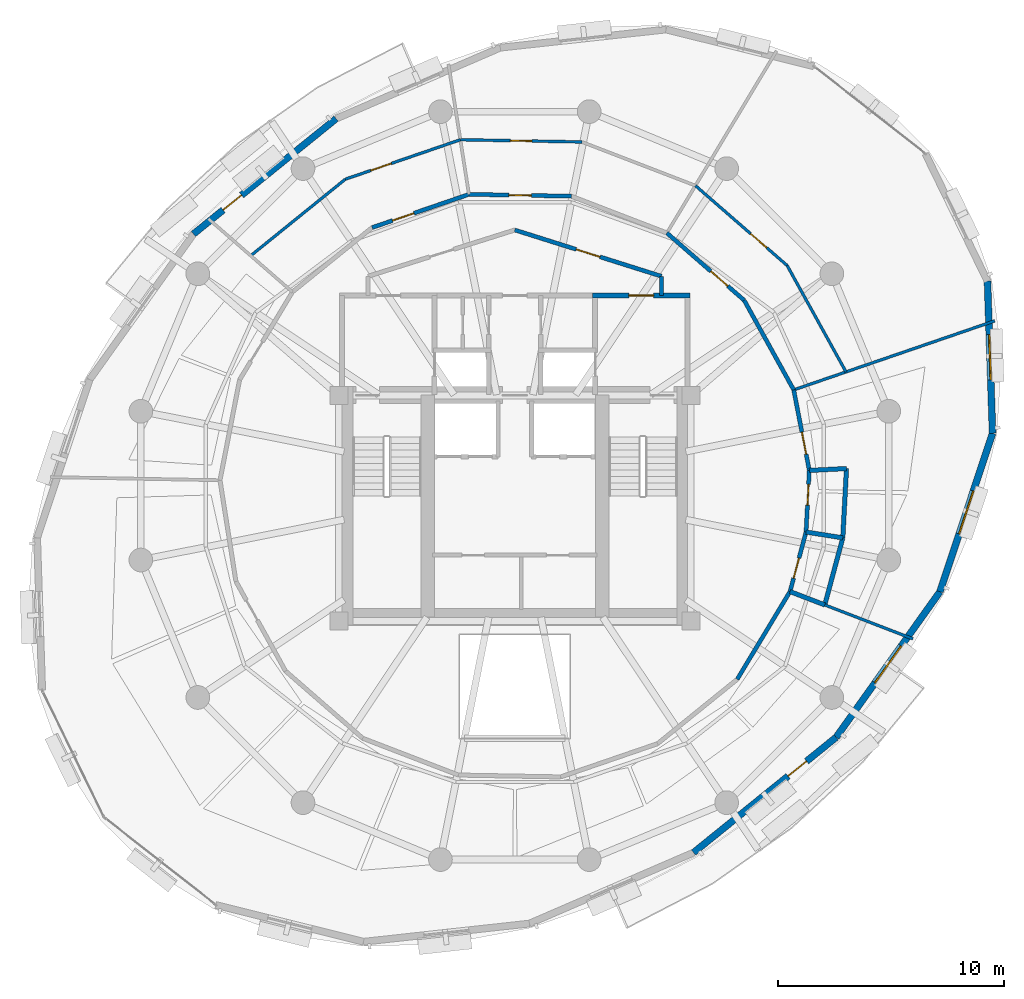
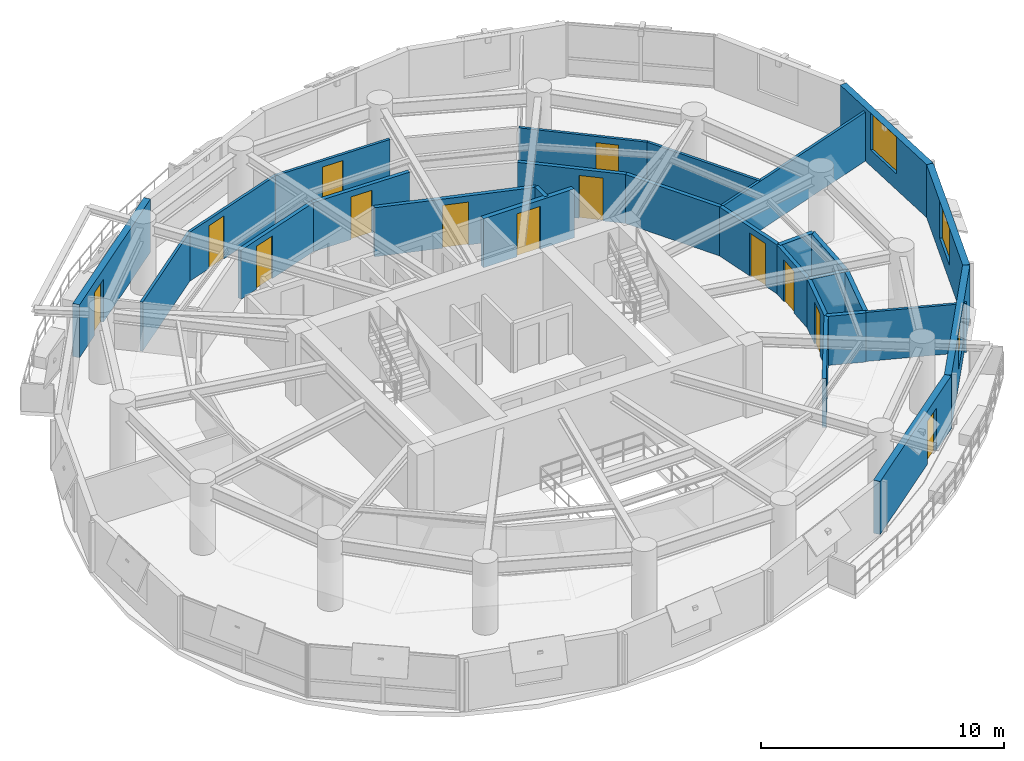
# One storey, part 9 of 12: 28 walls, 13 doors, 3 windows, 16 openings.
"""IFC4 building model written with IfcOpenShell, lengths in metres."""

import ifcopenshell
import ifcopenshell.guid

model = None  # the IFC model being written
_history = None  # IfcOwnerHistory: only IFC2X3 demands one
_inside = {}  # id of a spatial element -> (the spatial element, [elements in it])
_under = {}  # id of a project, library or spatial element -> (it, [spatial elements below it])
_declared = {}  # id of a project -> (the project, [libraries it declares])
_typed = {}  # id of a type object -> (the type object, [elements of that type])
_made_of = {}  # id of a material, layer set ... -> (it, [elements and type objects made of it])


def new_model(schema):
    """Start an empty IFC model of exactly this schema.

    Asked for "IFC4X3", IfcOpenShell would pick the latest addendum, in which some entities
    have other attributes; the version numbers below select the first issue.
    IFC2X3 requires an IfcOwnerHistory on every rooted entity: one is made here for all.
    """
    global model, _history
    if schema == "IFC4X3":
        model = ifcopenshell.file(schema_version=(4, 3, 0, 0))
    else:
        model = ifcopenshell.file(schema=schema)
    _inside.clear()
    _under.clear()
    _declared.clear()
    _typed.clear()
    _made_of.clear()
    _history = None
    if model.schema == "IFC2X3":
        org = make("IfcOrganization", Name="unknown")
        user = make(
            "IfcPersonAndOrganization",
            ThePerson=make("IfcPerson", FamilyName="unknown"),
            TheOrganization=org,
        )
        app = make(
            "IfcApplication",
            ApplicationDeveloper=org,
            Version="unknown",
            ApplicationFullName="unknown",
            ApplicationIdentifier="unknown",
        )
        _history = make(
            "IfcOwnerHistory",
            OwningUser=user,
            OwningApplication=app,
            ChangeAction="ADDED",
            CreationDate=0,
        )
    return model


def make(cls, **values):
    """One entity of the class cls with the attributes given. An attribute that is None is left unset."""
    return model.create_entity(
        cls, **{name: value for name, value in values.items() if value is not None}
    )


def rooted(cls, **values):
    """An entity with a GlobalId (a new one), such as an element, a storey or a relation."""
    return make(cls, GlobalId=ifcopenshell.guid.new(), OwnerHistory=_history, **values)


def si_unit(unit_type, name, prefix=None):
    """IfcSIUnit, for example si_unit("LENGTHUNIT", "METRE", prefix="MILLI")."""
    return make("IfcSIUnit", UnitType=unit_type, Prefix=prefix, Name=name)


def assignment(units):
    """IfcUnitAssignment: the units of a project."""
    return None if units is None else make("IfcUnitAssignment", Units=units)


def point(xyz):
    """IfcCartesianPoint."""
    return None if xyz is None else make("IfcCartesianPoint", Coordinates=xyz)


def direction(xyz):
    """IfcDirection."""
    return None if xyz is None else make("IfcDirection", DirectionRatios=xyz)


def frame(location, z_axis=None, x_axis=None):
    """IfcAxis2Placement3D, a coordinate frame: its origin and axes. An axis left out is left unset."""
    return make(
        "IfcAxis2Placement3D",
        Location=point(location),
        Axis=direction(z_axis),
        RefDirection=direction(x_axis),
    )


def frame_2d(location, x_axis=None):
    """IfcAxis2Placement2D, a coordinate frame in the plane: its origin and x axis."""
    return make(
        "IfcAxis2Placement2D", Location=point(location), RefDirection=direction(x_axis)
    )


def origin():
    """The frame at (0, 0, 0) with its axes left unset."""
    return frame((0.0, 0.0, 0.0))


def place(relative_to, where):
    """IfcLocalPlacement: puts the frame where relative to a parent placement (None: the world)."""
    return make(
        "IfcLocalPlacement", PlacementRelTo=relative_to, RelativePlacement=where
    )


def context(
    kind, dimensions, precision=None, world=None, true_north=None, identifier=None
):
    """IfcGeometricRepresentationContext, for example the 3D "Model" context."""
    return make(
        "IfcGeometricRepresentationContext",
        ContextIdentifier=identifier,
        ContextType=kind,
        CoordinateSpaceDimension=dimensions,
        Precision=precision,
        WorldCoordinateSystem=world,
        TrueNorth=true_north,
    )


def subcontext(parent, identifier, kind, view, scale=None):
    """IfcGeometricRepresentationSubContext, for example "Body" below "Model"."""
    return make(
        "IfcGeometricRepresentationSubContext",
        ContextIdentifier=identifier,
        ContextType=kind,
        ParentContext=parent,
        TargetScale=scale,
        TargetView=view,
    )


def project(units=None, contexts=None):
    """IfcProject with its units and contexts."""
    return rooted(
        "IfcProject",
        Name="project",
        RepresentationContexts=contexts,
        UnitsInContext=assignment(units),
    )


def spatial(cls, under=None, at=None, **own):
    """A site, building, storey or space (cls), placed at a placement, below another one or the project."""
    s = rooted(cls, ObjectPlacement=at, **own)
    if under is not None:
        _under.setdefault(under.id(), (under, []))[1].append(s)
    return s


def profile(cls, at=None, kind="AREA", **sizes):
    """A parametric profile (cls). Its sizes go by their IFC names, for example OverallWidth=200.0."""
    return make(cls, ProfileType=kind, Position=at, **sizes)


def rectangle(**sizes):
    """IfcRectangleProfileDef."""
    return profile("IfcRectangleProfileDef", **sizes)


def extrude(swept, where, along, depth):
    """IfcExtrudedAreaSolid: the profile swept, set in the frame where, extruded along a direction by depth."""
    return make(
        "IfcExtrudedAreaSolid",
        SweptArea=swept,
        Position=where,
        ExtrudedDirection=direction(along),
        Depth=depth,
    )


def shape(context_of_items, identifier, shape_type, items):
    """IfcShapeRepresentation: the items that make up one representation, for example the "Body"."""
    return make(
        "IfcShapeRepresentation",
        ContextOfItems=context_of_items,
        RepresentationIdentifier=identifier,
        RepresentationType=shape_type,
        Items=items,
    )


def material(Name=None, Category=None):
    """IfcMaterial."""
    return make("IfcMaterial", Name=Name, Category=Category)


def layer(
    of_material, thickness, ventilated=None, Name=None, Category=None, Priority=None
):
    """IfcMaterialLayer: one layer of a wall or slab, of a material (None: an air gap)."""
    return make(
        "IfcMaterialLayer",
        Material=of_material,
        LayerThickness=thickness,
        IsVentilated=ventilated,
        Name=Name,
        Category=Category,
        Priority=Priority,
    )


def layer_set(layers, Name=None):
    """IfcMaterialLayerSet."""
    return make("IfcMaterialLayerSet", MaterialLayers=layers, LayerSetName=Name)


def made_of(thing, what):
    """Note that an element or type object is made of a material, layer set ...; save() writes the relation."""
    if what is not None:
        _made_of.setdefault(what.id(), (what, []))[1].append(thing)
    return thing


def type_object(cls, material=None, **own):
    """A type object (cls), such as IfcWallType, which elements share."""
    return made_of(rooted(cls, **own), material)


def element(
    cls,
    number,
    at=None,
    inside=None,
    cuts=None,
    type_object=None,
    material=None,
    context=None,
    identifier="Body",
    shape_type=None,
    held_by="IfcProductDefinitionShape",
    body=None,
    shapes=None,
    **own,
):
    """One element of the class cls, such as IfcWall. Its Tag is "e" and its number.

    at: its placement. inside: the storey or other place that contains it. cuts: it is an
    opening in that element (IfcRelVoidsElement). A single representation is given by context,
    identifier, shape_type and body (its items); several are given by shapes. held_by: the class
    of the entity that holds the representations. save() writes the other relations.
    """
    e = rooted(cls, Tag="e%d" % number, ObjectPlacement=at, **own)
    if body is not None:
        shapes = [shape(context, identifier, shape_type, body)]
    if shapes is not None:
        e.Representation = make(held_by, Representations=shapes)
    if inside is not None:
        _inside.setdefault(inside.id(), (inside, []))[1].append(e)
    if cuts is not None:
        rooted(
            "IfcRelVoidsElement", RelatingBuildingElement=cuts, RelatedOpeningElement=e
        )
    if type_object is not None:
        _typed.setdefault(type_object.id(), (type_object, []))[1].append(e)
    return made_of(e, material)


def fill(opening, filler):
    """IfcRelFillsElement: the door or window that sits in an opening."""
    return rooted(
        "IfcRelFillsElement",
        RelatingOpeningElement=opening,
        RelatedBuildingElement=filler,
    )


def aggregate(whole, parts):
    """IfcRelAggregates: a whole, such as a stair, and the parts it consists of."""
    return rooted("IfcRelAggregates", RelatingObject=whole, RelatedObjects=parts)


def save(model, path):
    """Write the relations noted so far, then the file.

    IfcRelAggregates (storeys below a building ...), IfcRelContainedInSpatialStructure (elements
    in a storey), IfcRelDefinesByType, IfcRelAssociatesMaterial and IfcRelDeclares: one each for
    every whole, place, type object, material and project.
    """
    for whole, parts in _under.values():
        aggregate(whole, parts)
    for where, things in _inside.values():
        rooted(
            "IfcRelContainedInSpatialStructure",
            RelatedElements=things,
            RelatingStructure=where,
        )
    for kind, things in _typed.values():
        rooted("IfcRelDefinesByType", RelatedObjects=things, RelatingType=kind)
    for what, things in _made_of.values():
        rooted("IfcRelAssociatesMaterial", RelatedObjects=things, RelatingMaterial=what)
    for by, libraries in _declared.values():
        rooted("IfcRelDeclares", RelatingContext=by, RelatedDefinitions=libraries)
    model.write(path)


model = new_model("IFC4")

# Units and contexts
model_context = context("Model", 3, precision=1e-05, world=origin(), true_north=direction((0.0, 1.0)))
body_context = subcontext(model_context, "Body", "Model", "MODEL_VIEW")
ifc_project = project(units=[si_unit("LENGTHUNIT", "METRE"), si_unit("AREAUNIT", "SQUARE_METRE"), si_unit("VOLUMEUNIT", "CUBIC_METRE"), si_unit("PLANEANGLEUNIT", "RADIAN"), si_unit("MASSUNIT", "GRAM", prefix="KILO"), si_unit("THERMODYNAMICTEMPERATUREUNIT", "KELVIN"), si_unit("POWERUNIT", "WATT")], contexts=[model_context])

# Site, building, storey
site_placement = place(None, origin())
site = spatial("IfcSite", under=ifc_project, at=site_placement, CompositionType="ELEMENT")
building_placement = place(site_placement, origin())
building = spatial("IfcBuilding", under=site, at=building_placement, Name="Ocrelia Relay Tower", CompositionType="ELEMENT")
storey_placement = place(building_placement, frame((0.0, 0.0, 195.199951171875)))
storey = spatial("IfcBuildingStorey", under=building, at=storey_placement, Name="L47", CompositionType="ELEMENT", Elevation=195.199951171875)

# Wall
ifc_material_1 = material(Name="Gypsum Fireboard Partition EI60", Category="gypsum")
ifc_layer_1 = layer(ifc_material_1, 0.179931640625, Name="Gypsum Fireboard Partition EI60")
ifc_layer_set_1 = layer_set([ifc_layer_1], Name="Gypsum Fireboard Partition EI60")
wall_type_1 = type_object("IfcWallType", Name="W-CORR-EI60-180", PredefinedType="PARTITIONING", material=ifc_layer_set_1)
wall_1_placement = place(storey_placement, frame((40.5, 35.280029296875, 0.0), z_axis=(0.0, 0.0, 1.0), x_axis=(0.0, -1.0, 0.0)))
element("IfcWall", 1, at=wall_1_placement, inside=storey, type_object=wall_type_1, Name="L47 Smoke Lobby East Return", PredefinedType="PARTITIONING", context=body_context, shape_type="SweptSolid", body=[
    extrude(rectangle(XDim=0.85009765625, YDim=0.179931640625, at=frame_2d((0.425048828125, 0.0))), origin(), (0.0, 0.0, 1.0), 2.4599609375),
])

# Wall, opening, door
wall_2_placement = place(storey_placement, frame((34.0, 37.330078125, 0.0), z_axis=(0.0, 0.0, 1.0), x_axis=(0.953691418528, -0.300786765376, 0.0)))
wall_2 = element("IfcWall", 2, at=wall_2_placement, inside=storey, type_object=wall_type_1, Name="L47 North Smoke Lobby E Screen Wall", PredefinedType="PARTITIONING", context=body_context, shape_type="SweptSolid", body=[
    extrude(rectangle(XDim=6.815673828125, YDim=0.179931640625, at=frame_2d((3.40771484375, 0.0))), origin(), (0.0, 0.0, 1.0), 2.4599609375),
])
opening_1_placement = place(wall_2_placement, frame((2.85791015625, 0.0, 0.0)))
opening_1 = element("IfcOpeningElement", 3, at=opening_1_placement, cuts=wall_2, Name="Opening D-FD60", PredefinedType="OPENING", context=body_context, shape_type="SweptSolid", body=[
    extrude(rectangle(XDim=1.10009765625, YDim=2.14990234375, at=frame_2d((0.550048828125, 1.074951171875))), frame((0.0, 0.10009765625, 0.0), z_axis=(0.0, -1.0, 0.0), x_axis=(1.0, 0.0, 0.0)), (0.0, 0.0, 1.0), 0.199951171875),
])
ifc_material_2 = material(Name="Timber-core 60-min acoustic fire door", Category="wood")
door_type_1 = type_object("IfcDoorType", Name="DR-LOBBY-FD60-1100", OperationType="NOTDEFINED", PredefinedType="DOOR", material=ifc_material_2)
door_1_placement = place(opening_1_placement, origin())
door_1 = element("IfcDoor", 4, at=door_1_placement, inside=storey, type_object=door_type_1, Name="L47 North Smoke Lobby E Fire Door", OperationType="SINGLE_SWING_LEFT", OverallHeight=2.14990234375, OverallWidth=1.10009765625, PredefinedType="DOOR", context=body_context, shape_type="SweptSolid", body=[
    extrude(rectangle(XDim=1.10009765625, YDim=2.14990234375, at=frame_2d((0.550048828125, 1.074951171875))), frame((0.0, 0.02490234375, 0.0), z_axis=(0.0, -1.0, 0.0), x_axis=(1.0, 0.0, 0.0)), (0.0, 0.0, 1.0), 0.050048828125),
])
fill(opening_1, door_1)

wall_3_placement = place(storey_placement, frame((46.19775390625, 21.305419921875, 0.0), z_axis=(0.0, 0.0, 1.0), x_axis=(0.259653029167, 0.965701974961, 0.0)))
wall_3 = element("IfcWall", 5, at=wall_3_placement, inside=storey, type_object=wall_type_1, Name="L47 Staff Toilet Corridor Wall", PredefinedType="PARTITIONING", context=body_context, shape_type="SweptSolid", body=[
    extrude(rectangle(XDim=2.732421875, YDim=0.179931640625, at=frame_2d((1.3662109375, 0.0))), origin(), (0.0, 0.0, 1.0), 2.4599609375),
])
opening_2_placement = place(wall_3_placement, frame((0.61572265625, 0.0, 0.0)))
opening_2 = element("IfcOpeningElement", 6, at=opening_2_placement, cuts=wall_3, Name="Opening D-WC92", PredefinedType="OPENING", context=body_context, shape_type="SweptSolid", body=[
    extrude(rectangle(XDim=0.919921875, YDim=2.10009765625, at=frame_2d((0.4599609375, 1.050048828125))), frame((0.0, 0.10009765625, 0.0), z_axis=(0.0, -1.0, 0.0), x_axis=(1.0, 0.0, 0.0)), (0.0, 0.0, 1.0), 0.199951171875),
])
ifc_material_3 = material(Name="Laminate washroom door", Category="wood")
door_type_2 = type_object("IfcDoorType", Name="DR-WC-920", OperationType="NOTDEFINED", PredefinedType="DOOR", material=ifc_material_3)
door_2_placement = place(opening_2_placement, origin())
door_2 = element("IfcDoor", 7, at=door_2_placement, inside=storey, type_object=door_type_2, Name="L47 Staff Toilet Door", OperationType="SINGLE_SWING_RIGHT", OverallHeight=2.10009765625, OverallWidth=0.919921875, PredefinedType="DOOR", context=body_context, shape_type="SweptSolid", body=[
    extrude(rectangle(XDim=0.919921875, YDim=2.10009765625, at=frame_2d((0.4599609375, 1.050048828125))), frame((0.0, 0.02490234375, 0.0), z_axis=(0.0, -1.0, 0.0), x_axis=(1.0, 0.0, 0.0)), (0.0, 0.0, 1.0), 0.050048828125),
])
fill(opening_2, door_2)

wall_4_placement = place(storey_placement, frame((46.9072265625, 23.944091796875, 0.0), z_axis=(0.0, 0.0, 1.0), x_axis=(0.053252891073, 0.998581058098, 0.0)))
wall_4 = element("IfcWall", 8, at=wall_4_placement, inside=storey, type_object=wall_type_1, Name="L47 Accessible Toilet Corridor Wall", PredefinedType="PARTITIONING", context=body_context, shape_type="SweptSolid", body=[
    extrude(rectangle(XDim=2.732421875, YDim=0.179931640625, at=frame_2d((1.3662109375, 0.0))), origin(), (0.0, 0.0, 1.0), 2.4599609375),
])
opening_3_placement = place(wall_4_placement, frame((1.19677734375, 0.0, 0.0)))
opening_3 = element("IfcOpeningElement", 9, at=opening_3_placement, cuts=wall_4, Name="Opening D-WC92", PredefinedType="OPENING", context=body_context, shape_type="SweptSolid", body=[
    extrude(rectangle(XDim=0.919921875, YDim=2.10009765625, at=frame_2d((0.4599609375, 1.050048828125))), frame((0.0, 0.10009765625, 0.0), z_axis=(0.0, -1.0, 0.0), x_axis=(1.0, 0.0, 0.0)), (0.0, 0.0, 1.0), 0.199951171875),
])
door_3_placement = place(opening_3_placement, origin())
door_3 = element("IfcDoor", 10, at=door_3_placement, inside=storey, type_object=door_type_2, Name="L47 Accessible Toilet Door", OperationType="SINGLE_SWING_LEFT", OverallHeight=2.10009765625, OverallWidth=0.919921875, PredefinedType="DOOR", context=body_context, shape_type="SweptSolid", body=[
    extrude(rectangle(XDim=0.919921875, YDim=2.10009765625, at=frame_2d((0.4599609375, 1.050048828125))), frame((0.0, 0.02490234375, 0.0), z_axis=(0.0, -1.0, 0.0), x_axis=(1.0, 0.0, 0.0)), (0.0, 0.0, 1.0), 0.050048828125),
])
fill(opening_3, door_3)

wall_5_placement = place(storey_placement, frame((47.052734375, 26.672607421875, 0.0), z_axis=(0.0, 0.0, 1.0), x_axis=(-0.189982260964, 0.981787523102, 0.0)))
wall_5 = element("IfcWall", 11, at=wall_5_placement, inside=storey, type_object=wall_type_1, Name="L47 Spectrum Operations Office A Corridor Partition 1", PredefinedType="PARTITIONING", context=body_context, shape_type="SweptSolid", body=[
    extrude(rectangle(XDim=3.637939453125, YDim=0.179931640625, at=frame_2d((1.81884765625, 0.0))), origin(), (0.0, 0.0, 1.0), 2.4599609375),
])
opening_4_placement = place(wall_5_placement, frame((0.734619140625, 0.0, 0.0)))
opening_4 = element("IfcOpeningElement", 12, at=opening_4_placement, cuts=wall_5, Name="Opening D-RM100", PredefinedType="OPENING", context=body_context, shape_type="SweptSolid", body=[
    extrude(rectangle(XDim=1.0, YDim=2.14990234375, at=frame_2d((0.5, 1.074951171875))), frame((0.0, 0.10009765625, 0.0), z_axis=(0.0, -1.0, 0.0), x_axis=(1.0, 0.0, 0.0)), (0.0, 0.0, 1.0), 0.199951171875),
])
ifc_material_4 = material(Name="Acoustic oak veneer fire door", Category="wood")
door_type_3 = type_object("IfcDoorType", Name="DR-ROOM-FD60-1000", OperationType="NOTDEFINED", PredefinedType="DOOR", material=ifc_material_4)
door_4_placement = place(opening_4_placement, origin())
door_4 = element("IfcDoor", 13, at=door_4_placement, inside=storey, type_object=door_type_3, Name="L47 Spectrum Operations Office A Entrance Door", OperationType="SINGLE_SWING_RIGHT", OverallHeight=2.14990234375, OverallWidth=1.0, PredefinedType="DOOR", context=body_context, shape_type="SweptSolid", body=[
    extrude(rectangle(XDim=1.0, YDim=2.14990234375, at=frame_2d((0.5, 1.074951171875))), frame((0.0, 0.02490234375, 0.0), z_axis=(0.0, -1.0, 0.0), x_axis=(1.0, 0.0, 0.0)), (0.0, 0.0, 1.0), 0.050048828125),
])
fill(opening_4, door_4)

# Wall
wall_6_placement = place(storey_placement, frame((46.361572265625, 30.244384765625, 0.0), z_axis=(0.0, 0.0, 1.0), x_axis=(-0.484025458678, 0.875053915683, 0.0)))
element("IfcWall", 14, at=wall_6_placement, inside=storey, type_object=wall_type_1, Name="L47 Telemetry Office B Corridor Partition 1", PredefinedType="PARTITIONING", context=body_context, shape_type="SweptSolid", body=[
    extrude(rectangle(XDim=4.5390625, YDim=0.179931640625, at=frame_2d((2.26953125, 0.0))), origin(), (0.0, 0.0, 1.0), 2.4599609375),
])

# Wall, opening, door
wall_7_placement = place(storey_placement, frame((44.16455078125, 34.21630859375, 0.0), z_axis=(0.0, 0.0, 1.0), x_axis=(-0.754153769573, 0.656697869525, 0.0)))
wall_7 = element("IfcWall", 15, at=wall_7_placement, inside=storey, type_object=wall_type_1, Name="L47 Telemetry Office B Corridor Partition 2", PredefinedType="PARTITIONING", context=body_context, shape_type="SweptSolid", body=[
    extrude(rectangle(XDim=4.539306640625, YDim=0.179931640625, at=frame_2d((2.26953125, 0.0))), origin(), (0.0, 0.0, 1.0), 2.4599609375),
])
opening_5_placement = place(wall_7_placement, frame((0.959716796875, 0.0, 0.0)))
opening_5 = element("IfcOpeningElement", 16, at=opening_5_placement, cuts=wall_7, Name="Opening D-RM100", PredefinedType="OPENING", context=body_context, shape_type="SweptSolid", body=[
    extrude(rectangle(XDim=1.0, YDim=2.14990234375, at=frame_2d((0.5, 1.074951171875))), frame((0.0, 0.10009765625, 0.0), z_axis=(0.0, -1.0, 0.0), x_axis=(1.0, 0.0, 0.0)), (0.0, 0.0, 1.0), 0.199951171875),
])
door_5_placement = place(opening_5_placement, origin())
door_5 = element("IfcDoor", 17, at=door_5_placement, inside=storey, type_object=door_type_3, Name="L47 Telemetry Office B Entrance Door", OperationType="SINGLE_SWING_LEFT", OverallHeight=2.14990234375, OverallWidth=1.0, PredefinedType="DOOR", context=body_context, shape_type="SweptSolid", body=[
    extrude(rectangle(XDim=1.0, YDim=2.14990234375, at=frame_2d((0.5, 1.074951171875))), frame((0.0, 0.02490234375, 0.0), z_axis=(0.0, -1.0, 0.0), x_axis=(1.0, 0.0, 0.0)), (0.0, 0.0, 1.0), 0.050048828125),
])
fill(opening_5, door_5)

wall_8_placement = place(storey_placement, frame((36.505126953125, 38.82763671875, 0.0), z_axis=(0.0, 0.0, 1.0), x_axis=(-0.999831787945, 0.018341096331, 0.0)))
wall_8 = element("IfcWall", 18, at=wall_8_placement, inside=storey, type_object=wall_type_1, Name="L47 Security Office C Corridor Partition 2", PredefinedType="PARTITIONING", context=body_context, shape_type="SweptSolid", body=[
    extrude(rectangle(XDim=4.5390625, YDim=0.179931640625, at=frame_2d((2.26953125, 0.0))), origin(), (0.0, 0.0, 1.0), 2.4599609375),
])
opening_6_placement = place(wall_8_placement, frame((1.76953125, 0.0, 0.0)))
opening_6 = element("IfcOpeningElement", 19, at=opening_6_placement, cuts=wall_8, Name="Opening D-RM100", PredefinedType="OPENING", context=body_context, shape_type="SweptSolid", body=[
    extrude(rectangle(XDim=1.0, YDim=2.14990234375, at=frame_2d((0.5, 1.074951171875))), frame((0.0, 0.10009765625, 0.0), z_axis=(0.0, -1.0, 0.0), x_axis=(1.0, 0.0, 0.0)), (0.0, 0.0, 1.0), 0.199951171875),
])
door_6_placement = place(opening_6_placement, origin())
door_6 = element("IfcDoor", 20, at=door_6_placement, inside=storey, type_object=door_type_3, Name="L47 Security Office C Entrance Door", OperationType="SINGLE_SWING_LEFT", OverallHeight=2.14990234375, OverallWidth=1.0, PredefinedType="DOOR", context=body_context, shape_type="SweptSolid", body=[
    extrude(rectangle(XDim=1.0, YDim=2.14990234375, at=frame_2d((0.5, 1.074951171875))), frame((0.0, 0.02490234375, 0.0), z_axis=(0.0, -1.0, 0.0), x_axis=(1.0, 0.0, 0.0)), (0.0, 0.0, 1.0), 0.050048828125),
])
fill(opening_6, door_6)

wall_9_placement = place(storey_placement, frame((31.966796875, 38.910888671875, 0.0), z_axis=(0.0, 0.0, 1.0), x_axis=(-0.945799700753, -0.324750559747, 0.0)))
wall_9 = element("IfcWall", 21, at=wall_9_placement, inside=storey, type_object=wall_type_1, Name="L47 Routing Office D Corridor Partition 1", PredefinedType="PARTITIONING", context=body_context, shape_type="SweptSolid", body=[
    extrude(rectangle(XDim=4.539306640625, YDim=0.179931640625, at=frame_2d((2.26953125, 0.0))), origin(), (0.0, 0.0, 1.0), 2.4599609375),
])
opening_7_placement = place(wall_9_placement, frame((2.579345703125, 0.0, 0.0)))
opening_7 = element("IfcOpeningElement", 22, at=opening_7_placement, cuts=wall_9, Name="Opening D-RM100", PredefinedType="OPENING", context=body_context, shape_type="SweptSolid", body=[
    extrude(rectangle(XDim=1.0, YDim=2.14990234375, at=frame_2d((0.5, 1.074951171875))), frame((0.0, 0.10009765625, 0.0), z_axis=(0.0, -1.0, 0.0), x_axis=(1.0, 0.0, 0.0)), (0.0, 0.0, 1.0), 0.199951171875),
])
door_7_placement = place(opening_7_placement, origin())
door_7 = element("IfcDoor", 23, at=door_7_placement, inside=storey, type_object=door_type_3, Name="L47 Routing Office D Entrance Door", OperationType="SINGLE_SWING_LEFT", OverallHeight=2.14990234375, OverallWidth=1.0, PredefinedType="DOOR", context=body_context, shape_type="SweptSolid", body=[
    extrude(rectangle(XDim=1.0, YDim=2.14990234375, at=frame_2d((0.5, 1.074951171875))), frame((0.0, 0.02490234375, 0.0), z_axis=(0.0, -1.0, 0.0), x_axis=(1.0, 0.0, 0.0)), (0.0, 0.0, 1.0), 0.050048828125),
])
fill(opening_7, door_7)

# Wall
wall_10_placement = place(storey_placement, frame((43.856689453125, 17.416748046875, 0.0), z_axis=(0.0, 0.0, 1.0), x_axis=(0.515768687054, 0.856727880633, 0.0)))
element("IfcWall", 24, at=wall_10_placement, inside=storey, type_object=wall_type_1, Name="L47 Monitoring Office F Corridor Partition 8", PredefinedType="PARTITIONING", context=body_context, shape_type="SweptSolid", body=[
    extrude(rectangle(XDim=4.5390625, YDim=0.179931640625, at=frame_2d((2.26953125, 0.0))), origin(), (0.0, 0.0, 1.0), 2.4599609375),
])

# Wall, opening, door
ifc_material_5 = material(Name="Precast concrete C40/50 with oxide terracotta", Category="masonry")
ifc_layer_2 = layer(ifc_material_5, 0.300048828125, Name="Precast concrete C40/50 with oxide terracotta")
ifc_layer_set_2 = layer_set([ifc_layer_2], Name="Precast concrete C40/50 with oxide terracotta")
wall_type_2 = type_object("IfcWallType", Name="W-EXT-TERR-300", PredefinedType="SOLIDWALL", material=ifc_layer_set_2)
wall_11_placement = place(storey_placement, frame((26.078369140625, 42.263671875, 0.0), z_axis=(0.0, 0.0, 1.0), x_axis=(-0.777687524657, -0.628651027194, 0.0)))
wall_11 = element("IfcWall", 25, at=wall_11_placement, inside=storey, type_object=wall_type_2, Name="L47 Oxide Terracotta Facade Wall 05", PredefinedType="SOLIDWALL", context=body_context, shape_type="SweptSolid", body=[
    extrude(rectangle(XDim=8.126708984375, YDim=0.300048828125, at=frame_2d((4.0634765625, 0.0))), origin(), (0.0, 0.0, 1.0), 2.66015625),
])
opening_8_placement = place(wall_11_placement, frame((5.389892578125, 0.0, 0.0)))
opening_8 = element("IfcOpeningElement", 26, at=opening_8_placement, cuts=wall_11, Name="Opening DB-105", PredefinedType="OPENING", context=body_context, shape_type="SweptSolid", body=[
    extrude(rectangle(XDim=1.050048828125, YDim=2.14990234375, at=frame_2d((0.52490234375, 1.074951171875))), frame((0.0, 0.16015625, 0.0), z_axis=(0.0, -1.0, 0.0), x_axis=(1.0, 0.0, 0.0)), (0.0, 0.0, 1.0), 0.320068359375),
])
ifc_material_6 = material(Name="Thermally broken aluminium and clear glass", Category="aluminium")
door_type_4 = type_object("IfcDoorType", Name="DR-BALC-1050", OperationType="NOTDEFINED", PredefinedType="DOOR", material=ifc_material_6)
door_8_placement = place(opening_8_placement, origin())
door_8 = element("IfcDoor", 27, at=door_8_placement, inside=storey, type_object=door_type_4, Name="L47 Planted Loggia Balcony Door B1", OperationType="SINGLE_SWING_LEFT", OverallHeight=2.14990234375, OverallWidth=1.050048828125, PredefinedType="DOOR", context=body_context, shape_type="SweptSolid", body=[
    extrude(rectangle(XDim=1.050048828125, YDim=2.14990234375, at=frame_2d((0.52490234375, 1.074951171875))), frame((0.0, 0.02490234375, 0.0), z_axis=(0.0, -1.0, 0.0), x_axis=(1.0, 0.0, 0.0)), (0.0, 0.0, 1.0), 0.050048828125),
])
fill(opening_8, door_8)

wall_12_placement = place(storey_placement, frame((41.921630859375, 9.736328125, 0.0), z_axis=(0.0, 0.0, 1.0), x_axis=(0.777687524657, 0.628651027194, 0.0)))
wall_12 = element("IfcWall", 28, at=wall_12_placement, inside=storey, type_object=wall_type_2, Name="L47 Oxide Terracotta Facade Wall 14", PredefinedType="SOLIDWALL", context=body_context, shape_type="SweptSolid", body=[
    extrude(rectangle(XDim=8.126708984375, YDim=0.300048828125, at=frame_2d((4.0634765625, 0.0))), origin(), (0.0, 0.0, 1.0), 2.66015625),
])
opening_9_placement = place(wall_12_placement, frame((5.389892578125, 0.0, 0.0)))
opening_9 = element("IfcOpeningElement", 29, at=opening_9_placement, cuts=wall_12, Name="Opening DB-105", PredefinedType="OPENING", context=body_context, shape_type="SweptSolid", body=[
    extrude(rectangle(XDim=1.050048828125, YDim=2.14990234375, at=frame_2d((0.52490234375, 1.074951171875))), frame((0.0, 0.16015625, 0.0), z_axis=(0.0, -1.0, 0.0), x_axis=(1.0, 0.0, 0.0)), (0.0, 0.0, 1.0), 0.320068359375),
])
door_9_placement = place(opening_9_placement, origin())
door_9 = element("IfcDoor", 30, at=door_9_placement, inside=storey, type_object=door_type_4, Name="L47 Planted Loggia Balcony Door B2", OperationType="SINGLE_SWING_LEFT", OverallHeight=2.14990234375, OverallWidth=1.050048828125, PredefinedType="DOOR", context=body_context, shape_type="SweptSolid", body=[
    extrude(rectangle(XDim=1.050048828125, YDim=2.14990234375, at=frame_2d((0.52490234375, 1.074951171875))), frame((0.0, 0.02490234375, 0.0), z_axis=(0.0, -1.0, 0.0), x_axis=(1.0, 0.0, 0.0)), (0.0, 0.0, 1.0), 0.050048828125),
])
fill(opening_9, door_9)

# Wall, opening, window
wall_13_placement = place(storey_placement, frame((48.24169921875, 14.84521484375, 0.0), z_axis=(0.0, 0.0, 1.0), x_axis=(0.580588320106, 0.814197274963, 0.0)))
wall_13 = element("IfcWall", 31, at=wall_13_placement, inside=storey, type_object=wall_type_2, Name="L47 Oxide Terracotta Facade Wall 15", PredefinedType="SOLIDWALL", context=body_context, shape_type="SweptSolid", body=[
    extrude(rectangle(XDim=7.927001953125, YDim=0.300048828125, at=frame_2d((3.96337890625, 0.0))), origin(), (0.0, 0.0, 1.0), 2.66015625),
])
opening_10_placement = place(wall_13_placement, frame((2.964111328125, 0.0, 0.800048828125)))
opening_10 = element("IfcOpeningElement", 32, at=opening_10_placement, cuts=wall_13, Name="Opening W-03", PredefinedType="OPENING", context=body_context, shape_type="SweptSolid", body=[
    extrude(rectangle(XDim=2.0, YDim=1.85009765625, at=frame_2d((1.0, 0.925048828125))), frame((0.0, 0.16015625, 0.0), z_axis=(0.0, -1.0, 0.0), x_axis=(1.0, 0.0, 0.0)), (0.0, 0.0, 1.0), 0.320068359375),
])
ifc_material_7 = material(Name="Clear double-glazed low-E glass", Category="glass")
window_type = type_object("IfcWindowType", Name="WIN-Z3-2000x2200", PartitioningType="DOUBLE_PANEL_VERTICAL", PredefinedType="WINDOW", material=ifc_material_7)
window_1_placement = place(opening_10_placement, origin())
window_1 = element("IfcWindow", 33, at=window_1_placement, inside=storey, type_object=window_type, Name="L47 Facade Module Window 15", OverallHeight=1.85009765625, OverallWidth=2.0, PartitioningType="SINGLE_PANEL", PredefinedType="WINDOW", context=body_context, shape_type="SweptSolid", body=[
    extrude(rectangle(XDim=2.0, YDim=1.85009765625, at=frame_2d((1.0, 0.925048828125))), frame((0.0, 0.030029296875, 0.0), z_axis=(0.0, -1.0, 0.0), x_axis=(1.0, 0.0, 0.0)), (0.0, 0.0, 1.0), 0.06005859375),
])
fill(opening_10, window_1)

wall_14_placement = place(storey_placement, frame((52.843994140625, 21.29931640625, 0.0), z_axis=(0.0, 0.0, 1.0), x_axis=(0.31491065828, 0.949121318537, 0.0)))
wall_14 = element("IfcWall", 34, at=wall_14_placement, inside=storey, type_object=wall_type_2, Name="L47 Oxide Terracotta Facade Wall 16", PredefinedType="SOLIDWALL", context=body_context, shape_type="SweptSolid", body=[
    extrude(rectangle(XDim=7.397705078125, YDim=0.300048828125, at=frame_2d((3.69873046875, 0.0))), origin(), (0.0, 0.0, 1.0), 2.66015625),
])
opening_11_placement = place(wall_14_placement, frame((2.698974609375, 0.0, 0.800048828125)))
opening_11 = element("IfcOpeningElement", 35, at=opening_11_placement, cuts=wall_14, Name="Opening W-03", PredefinedType="OPENING", context=body_context, shape_type="SweptSolid", body=[
    extrude(rectangle(XDim=2.0, YDim=1.85009765625, at=frame_2d((1.0, 0.925048828125))), frame((0.0, 0.16015625, 0.0), z_axis=(0.0, -1.0, 0.0), x_axis=(1.0, 0.0, 0.0)), (0.0, 0.0, 1.0), 0.320068359375),
])
window_2_placement = place(opening_11_placement, origin())
window_2 = element("IfcWindow", 36, at=window_2_placement, inside=storey, type_object=window_type, Name="L47 Facade Module Window 16", OverallHeight=1.85009765625, OverallWidth=2.0, PartitioningType="SINGLE_PANEL", PredefinedType="WINDOW", context=body_context, shape_type="SweptSolid", body=[
    extrude(rectangle(XDim=2.0, YDim=1.85009765625, at=frame_2d((1.0, 0.925048828125))), frame((0.0, 0.030029296875, 0.0), z_axis=(0.0, -1.0, 0.0), x_axis=(1.0, 0.0, 0.0)), (0.0, 0.0, 1.0), 0.06005859375),
])
fill(opening_11, window_2)

wall_15_placement = place(storey_placement, frame((55.173583984375, 28.320556640625, 0.0), z_axis=(0.0, 0.0, 1.0), x_axis=(-0.033263008574, 0.999446633023, 0.0)))
wall_15 = element("IfcWall", 37, at=wall_15_placement, inside=storey, type_object=wall_type_2, Name="L47 Oxide Terracotta Facade Wall 17", PredefinedType="SOLIDWALL", context=body_context, shape_type="SweptSolid", body=[
    extrude(rectangle(XDim=6.7451171875, YDim=0.300048828125, at=frame_2d((3.37255859375, 0.0))), origin(), (0.0, 0.0, 1.0), 2.66015625),
])
opening_12_placement = place(wall_15_placement, frame((2.373046875, 0.0, 0.800048828125)))
opening_12 = element("IfcOpeningElement", 38, at=opening_12_placement, cuts=wall_15, Name="Opening W-03", PredefinedType="OPENING", context=body_context, shape_type="SweptSolid", body=[
    extrude(rectangle(XDim=2.0, YDim=1.85009765625, at=frame_2d((1.0, 0.925048828125))), frame((0.0, 0.16015625, 0.0), z_axis=(0.0, -1.0, 0.0), x_axis=(1.0, 0.0, 0.0)), (0.0, 0.0, 1.0), 0.320068359375),
])
window_3_placement = place(opening_12_placement, origin())
window_3 = element("IfcWindow", 39, at=window_3_placement, inside=storey, type_object=window_type, Name="L47 Facade Module Window 17", OverallHeight=1.85009765625, OverallWidth=2.0, PartitioningType="SINGLE_PANEL", PredefinedType="WINDOW", context=body_context, shape_type="SweptSolid", body=[
    extrude(rectangle(XDim=2.0, YDim=1.85009765625, at=frame_2d((1.0, 0.925048828125))), frame((0.0, 0.030029296875, 0.0), z_axis=(0.0, -1.0, 0.0), x_axis=(1.0, 0.0, 0.0)), (0.0, 0.0, 1.0), 0.06005859375),
])
fill(opening_12, window_3)

# Wall, opening, door
ifc_material_8 = material(Name="Concrete C50/60", Category="concrete")
ifc_layer_3 = layer(ifc_material_8, 0.219970703125, Name="Concrete C50/60")
ifc_layer_set_3 = layer_set([ifc_layer_3], Name="Concrete C50/60")
wall_type_3 = type_object("IfcWallType", Name="W-FFL-EI120-220", PredefinedType="SOLIDWALL", material=ifc_layer_set_3)
wall_16_placement = place(storey_placement, frame((37.449951171875, 34.429931640625, 0.0), z_axis=(0.0, 0.0, 1.0), x_axis=(1.0, 0.0, 0.0)))
wall_16 = element("IfcWall", 40, at=wall_16_placement, inside=storey, type_object=wall_type_3, Name="L47 E Fire Service Lift Lobby North Wall", PredefinedType="SOLIDWALL", context=body_context, shape_type="SweptSolid", body=[
    extrude(rectangle(XDim=4.31005859375, YDim=0.219970703125, at=frame_2d((2.155029296875, 0.0))), origin(), (0.0, 0.0, 1.0), 2.4599609375),
])
opening_13_placement = place(wall_16_placement, frame((1.60009765625, 0.0, 0.0)))
opening_13 = element("IfcOpeningElement", 41, at=opening_13_placement, cuts=wall_16, Name="Opening D-FD60", PredefinedType="OPENING", context=body_context, shape_type="SweptSolid", body=[
    extrude(rectangle(XDim=1.10009765625, YDim=2.14990234375, at=frame_2d((0.550048828125, 1.074951171875))), frame((0.0, 0.1201171875, 0.0), z_axis=(0.0, -1.0, 0.0), x_axis=(1.0, 0.0, 0.0)), (0.0, 0.0, 1.0), 0.239990234375),
])
door_10_placement = place(opening_13_placement, origin())
door_10 = element("IfcDoor", 42, at=door_10_placement, inside=storey, type_object=door_type_1, Name="L47 E Fire Service Lift Lobby Exit Door", OperationType="SINGLE_SWING_RIGHT", OverallHeight=2.14990234375, OverallWidth=1.10009765625, PredefinedType="DOOR", context=body_context, shape_type="SweptSolid", body=[
    extrude(rectangle(XDim=1.10009765625, YDim=2.14990234375, at=frame_2d((0.550048828125, 1.074951171875))), frame((0.0, 0.02490234375, 0.0), z_axis=(0.0, -1.0, 0.0), x_axis=(1.0, 0.0, 0.0)), (0.0, 0.0, 1.0), 0.050048828125),
])
fill(opening_13, door_10)

# Walls
ifc_material_9 = material(Name="Acoustic Fireboard Partition EI60", Category="gypsum")
ifc_layer_4 = layer(ifc_material_9, 0.125, Name="Acoustic Fireboard Partition EI60")
ifc_layer_set_4 = layer_set([ifc_layer_4], Name="Acoustic Fireboard Partition EI60")
wall_type_4 = type_object("IfcWallType", Name="W-PART-125", PredefinedType="PARTITIONING", material=ifc_layer_set_4)
wall_17_placement = place(storey_placement, frame((47.73779296875, 20.712890625, 0.0), z_axis=(0.0, 0.0, 1.0), x_axis=(0.933250901118, -0.359225215656, 0.0)))
element("IfcWall", 43, at=wall_17_placement, inside=storey, type_object=wall_type_4, Name="L47 Spectrum Operations Office A Radial Partition", PredefinedType="PARTITIONING", context=body_context, shape_type="SweptSolid", body=[
    extrude(rectangle(XDim=4.187255859375, YDim=0.125, at=frame_2d((2.09375, 0.0))), origin(), (0.0, 0.0, 1.0), 2.4599609375),
])
wall_18_placement = place(storey_placement, frame((46.361572265625, 30.244384765625, 0.0), z_axis=(0.0, 0.0, 1.0), x_axis=(0.945803358449, 0.324739906921, 0.0)))
element("IfcWall", 44, at=wall_18_placement, inside=storey, type_object=wall_type_4, Name="L47 Spectrum Operations Office A Radial Partition", PredefinedType="PARTITIONING", context=body_context, shape_type="SweptSolid", body=[
    extrude(rectangle(XDim=9.416259765625, YDim=0.125, at=frame_2d((4.7080078125, 0.0))), origin(), (0.0, 0.0, 1.0), 2.4599609375),
])
wall_19_placement = place(storey_placement, frame((48.678955078125, 31.0400390625, 0.0), z_axis=(0.0, 0.0, 1.0), x_axis=(-0.484057695698, 0.87503608339, 0.0)))
element("IfcWall", 45, at=wall_19_placement, inside=storey, type_object=wall_type_4, Name="L47 Perimeter Telemetry Office B Mid-Ring Partition 1", PredefinedType="PARTITIONING", context=body_context, shape_type="SweptSolid", body=[
    extrude(rectangle(XDim=5.39013671875, YDim=0.125, at=frame_2d((2.695068359375, 0.0))), origin(), (0.0, 0.0, 1.0), 2.4599609375),
])

# Wall, opening, door
wall_20_placement = place(storey_placement, frame((46.06982421875, 35.756591796875, 0.0), z_axis=(0.0, 0.0, 1.0), x_axis=(-0.754140206691, 0.656713444854, 0.0)))
wall_20 = element("IfcWall", 46, at=wall_20_placement, inside=storey, type_object=wall_type_4, Name="L47 Perimeter Telemetry Office B Mid-Ring Partition 2", PredefinedType="PARTITIONING", context=body_context, shape_type="SweptSolid", body=[
    extrude(rectangle(XDim=5.39013671875, YDim=0.125, at=frame_2d((2.695068359375, 0.0))), origin(), (0.0, 0.0, 1.0), 2.4599609375),
])
opening_14_placement = place(wall_20_placement, frame((1.199951171875, 0.0, 0.0)))
opening_14 = element("IfcOpeningElement", 47, at=opening_14_placement, cuts=wall_20, Name="Opening D-RM95", PredefinedType="OPENING", context=body_context, shape_type="SweptSolid", body=[
    extrude(rectangle(XDim=0.949951171875, YDim=2.14990234375, at=frame_2d((0.47509765625, 1.074951171875))), frame((0.0, 0.072509765625, 0.0), z_axis=(0.0, -1.0, 0.0), x_axis=(1.0, 0.0, 0.0)), (0.0, 0.0, 1.0), 0.14501953125),
])
door_type_5 = type_object("IfcDoorType", Name="DR-ROOM-950", OperationType="NOTDEFINED", PredefinedType="DOOR", material=ifc_material_4)
door_11_placement = place(opening_14_placement, origin())
door_11 = element("IfcDoor", 48, at=door_11_placement, inside=storey, type_object=door_type_5, Name="L47 Perimeter Telemetry Office B Connecting Door", OperationType="SINGLE_SWING_RIGHT", OverallHeight=2.14990234375, OverallWidth=0.949951171875, PredefinedType="DOOR", context=body_context, shape_type="SweptSolid", body=[
    extrude(rectangle(XDim=0.949951171875, YDim=2.14990234375, at=frame_2d((0.47509765625, 1.074951171875))), frame((0.0, 0.02490234375, 0.0), z_axis=(0.0, -1.0, 0.0), x_axis=(1.0, 0.0, 0.0)), (0.0, 0.0, 1.0), 0.050048828125),
])
fill(opening_14, door_11)

wall_21_placement = place(storey_placement, frame((36.974609375, 41.232421875, 0.0), z_axis=(0.0, 0.0, 1.0), x_axis=(-0.999832559092, 0.018299010323, 0.0)))
wall_21 = element("IfcWall", 49, at=wall_21_placement, inside=storey, type_object=wall_type_4, Name="L47 Perimeter Security Office C Mid-Ring Partition 2", PredefinedType="PARTITIONING", context=body_context, shape_type="SweptSolid", body=[
    extrude(rectangle(XDim=5.39013671875, YDim=0.125, at=frame_2d((2.695068359375, 0.0))), origin(), (0.0, 0.0, 1.0), 2.4599609375),
])
opening_15_placement = place(wall_21_placement, frame((2.219970703125, 0.0, 0.0)))
opening_15 = element("IfcOpeningElement", 50, at=opening_15_placement, cuts=wall_21, Name="Opening D-RM95", PredefinedType="OPENING", context=body_context, shape_type="SweptSolid", body=[
    extrude(rectangle(XDim=0.949951171875, YDim=2.14990234375, at=frame_2d((0.47509765625, 1.074951171875))), frame((0.0, 0.072509765625, 0.0), z_axis=(0.0, -1.0, 0.0), x_axis=(1.0, 0.0, 0.0)), (0.0, 0.0, 1.0), 0.14501953125),
])
door_12_placement = place(opening_15_placement, origin())
door_12 = element("IfcDoor", 51, at=door_12_placement, inside=storey, type_object=door_type_5, Name="L47 Perimeter Security Office C Connecting Door", OperationType="SINGLE_SWING_RIGHT", OverallHeight=2.14990234375, OverallWidth=0.949951171875, PredefinedType="DOOR", context=body_context, shape_type="SweptSolid", body=[
    extrude(rectangle(XDim=0.949951171875, YDim=2.14990234375, at=frame_2d((0.47509765625, 1.074951171875))), frame((0.0, 0.02490234375, 0.0), z_axis=(0.0, -1.0, 0.0), x_axis=(1.0, 0.0, 0.0)), (0.0, 0.0, 1.0), 0.050048828125),
])
fill(opening_15, door_12)

wall_22_placement = place(storey_placement, frame((31.58544921875, 41.3310546875, 0.0), z_axis=(0.0, 0.0, 1.0), x_axis=(-0.945809679089, -0.324721497504, 0.0)))
wall_22 = element("IfcWall", 52, at=wall_22_placement, inside=storey, type_object=wall_type_4, Name="L47 Perimeter Routing Office D Mid-Ring Partition 1", PredefinedType="PARTITIONING", context=body_context, shape_type="SweptSolid", body=[
    extrude(rectangle(XDim=5.389892578125, YDim=0.125, at=frame_2d((2.69482421875, 0.0))), origin(), (0.0, 0.0, 1.0), 2.4599609375),
])
opening_16_placement = place(wall_22_placement, frame((3.239990234375, 0.0, 0.0)))
opening_16 = element("IfcOpeningElement", 53, at=opening_16_placement, cuts=wall_22, Name="Opening D-RM95", PredefinedType="OPENING", context=body_context, shape_type="SweptSolid", body=[
    extrude(rectangle(XDim=0.949951171875, YDim=2.14990234375, at=frame_2d((0.47509765625, 1.074951171875))), frame((0.0, 0.072509765625, 0.0), z_axis=(0.0, -1.0, 0.0), x_axis=(1.0, 0.0, 0.0)), (0.0, 0.0, 1.0), 0.14501953125),
])
door_13_placement = place(opening_16_placement, origin())
door_13 = element("IfcDoor", 54, at=door_13_placement, inside=storey, type_object=door_type_5, Name="L47 Perimeter Routing Office D Connecting Door", OperationType="SINGLE_SWING_RIGHT", OverallHeight=2.14990234375, OverallWidth=0.949951171875, PredefinedType="DOOR", context=body_context, shape_type="SweptSolid", body=[
    extrude(rectangle(XDim=0.949951171875, YDim=2.14990234375, at=frame_2d((0.47509765625, 1.074951171875))), frame((0.0, 0.02490234375, 0.0), z_axis=(0.0, -1.0, 0.0), x_axis=(1.0, 0.0, 0.0)), (0.0, 0.0, 1.0), 0.050048828125),
])
fill(opening_16, door_13)

# Walls
wall_23_placement = place(storey_placement, frame((26.487548828125, 39.580810546875, 0.0), z_axis=(0.0, 0.0, 1.0), x_axis=(-0.777681383414, -0.628658624288, 0.0)))
element("IfcWall", 55, at=wall_23_placement, inside=storey, type_object=wall_type_4, Name="L47 Perimeter Routing Office D Mid-Ring Partition 2", PredefinedType="PARTITIONING", context=body_context, shape_type="SweptSolid", body=[
    extrude(rectangle(XDim=5.389892578125, YDim=0.125, at=frame_2d((2.69482421875, 0.0))), origin(), (0.0, 0.0, 1.0), 2.4599609375),
])
ifc_material_10 = material(Name="Moisture-Resistant Fireboard Chase Wall EI60", Category="gypsum")
ifc_layer_5 = layer(ifc_material_10, 0.199951171875, Name="Moisture-Resistant Fireboard Chase Wall EI60")
ifc_layer_set_5 = layer_set([ifc_layer_5], Name="Moisture-Resistant Fireboard Chase Wall EI60")
wall_type_5 = type_object("IfcWallType", Name="W-PLUMB-200", PredefinedType="PLUMBINGWALL", material=ifc_layer_set_5)
for number, where, z_axis, x_axis, name in (
    (56, (46.19775390625, 21.305419921875, 0.0), (0.0, 0.0, 1.0), (0.933303653668, -0.359088136882, 0.0), "L47 Staff Toilet Plumbing Radial Wall"),
    (57, (46.9072265625, 23.944091796875, 0.0), (0.0, 0.0, 1.0), (0.987555772879, -0.157269181509, 0.0), "L47 Staff Toilet Plumbing Radial Wall"),
):
    element("IfcWall", number, at=place(storey_placement, frame(where, z_axis=z_axis, x_axis=x_axis)), inside=storey, type_object=wall_type_5, Name=name, PredefinedType="PLUMBINGWALL", context=body_context, shape_type="SweptSolid", body=[
        extrude(rectangle(XDim=1.650146484375, YDim=0.199951171875, at=frame_2d((0.8251953125, 0.0))), origin(), (0.0, 0.0, 1.0), 2.4599609375),
    ])
wall_24_placement = place(storey_placement, frame((47.73779296875, 20.712890625, 0.0), z_axis=(0.0, 0.0, 1.0), x_axis=(0.259671868568, 0.965696909322, 0.0)))
element("IfcWall", 58, at=wall_24_placement, inside=storey, type_object=wall_type_5, Name="L47 Staff Toilet Back Plumbing Wall", PredefinedType="PLUMBINGWALL", context=body_context, shape_type="SweptSolid", body=[
    extrude(rectangle(XDim=3.0771484375, YDim=0.199951171875, at=frame_2d((1.53857421875, 0.0))), origin(), (0.0, 0.0, 1.0), 2.4599609375),
])
wall_25_placement = place(storey_placement, frame((47.052734375, 26.672607421875, 0.0), z_axis=(0.0, 0.0, 1.0), x_axis=(0.998673263507, 0.051494783775, 0.0)))
element("IfcWall", 59, at=wall_25_placement, inside=storey, type_object=wall_type_5, Name="L47 Accessible Toilet Plumbing Radial Wall", PredefinedType="PLUMBINGWALL", context=body_context, shape_type="SweptSolid", body=[
    extrude(rectangle(XDim=1.64990234375, YDim=0.199951171875, at=frame_2d((0.824951171875, 0.0))), origin(), (0.0, 0.0, 1.0), 2.4599609375),
])
wall_26_placement = place(storey_placement, frame((48.536865234375, 23.6845703125, 0.0), z_axis=(0.0, 0.0, 1.0), x_axis=(0.053154272607, 0.998586312395, 0.0)))
element("IfcWall", 60, at=wall_26_placement, inside=storey, type_object=wall_type_5, Name="L47 Accessible Toilet Back Plumbing Wall", PredefinedType="PLUMBINGWALL", context=body_context, shape_type="SweptSolid", body=[
    extrude(rectangle(XDim=3.077392578125, YDim=0.199951171875, at=frame_2d((1.53857421875, 0.0))), origin(), (0.0, 0.0, 1.0), 2.4599609375),
])

save(model, "model.ifc")
